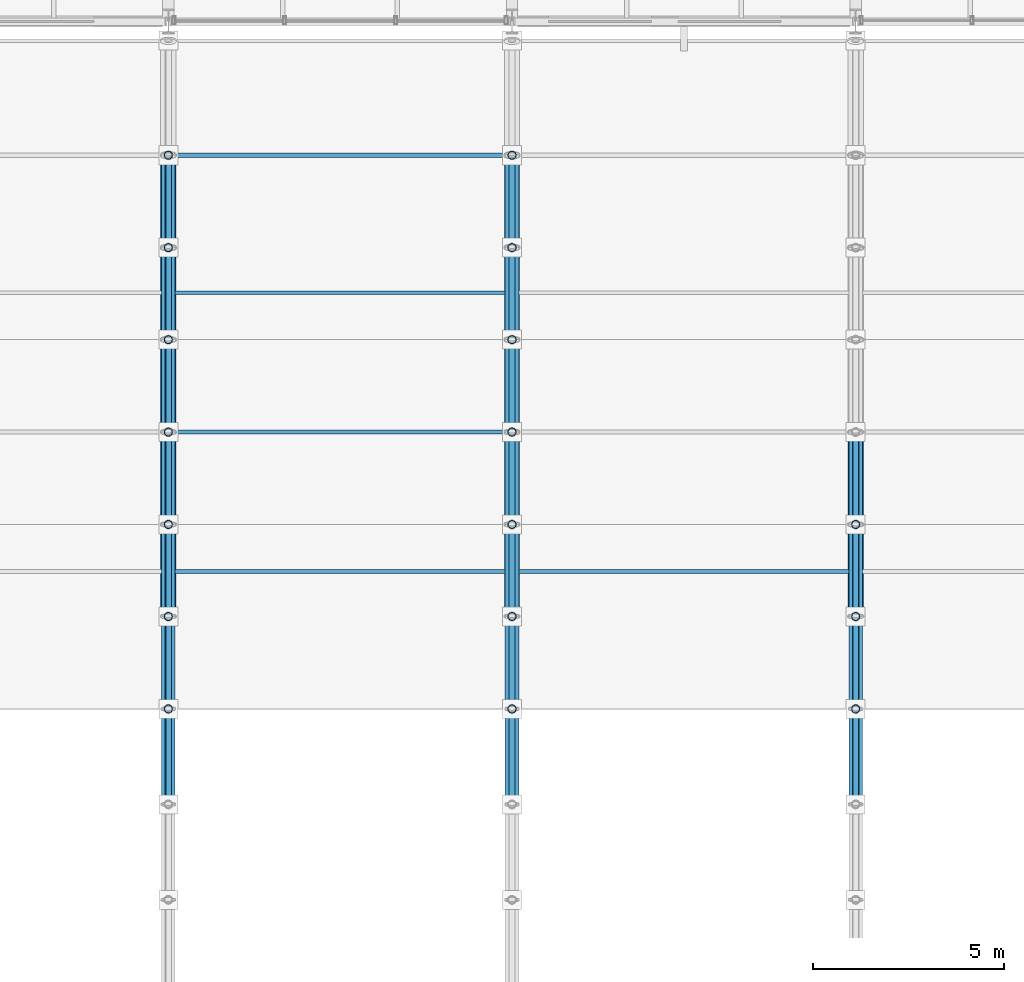
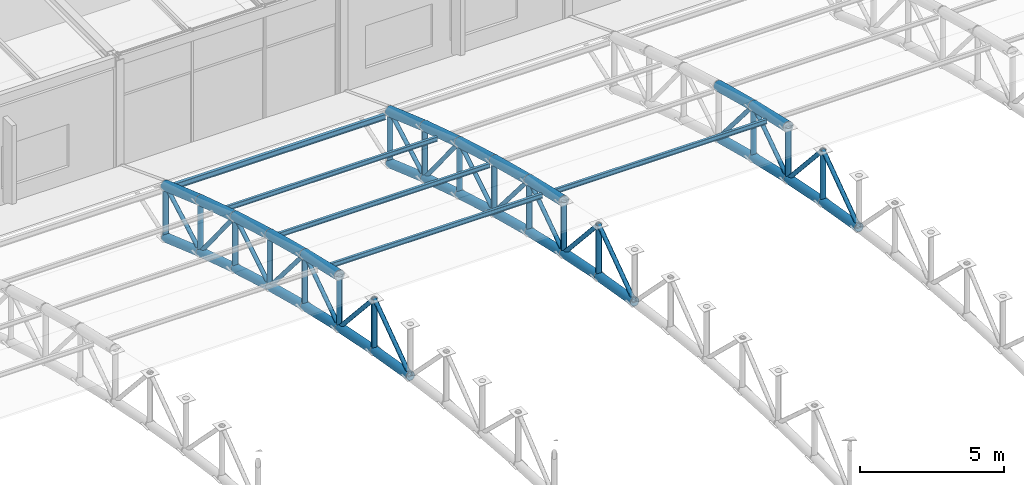
# One storey, part 37 of 195: 70 members.
"""IFC4 building model written with IfcOpenShell, lengths in metres."""

from ifc_helpers import new_model, si_unit, direction, frame, origin, origin_2d, place, context, subcontext, project, spatial, hollow_circle, i_section, extrude, material, material_profile, profile_set, type_object, element, save


model = new_model("IFC4")

# Units and contexts
model_context = context("Model", 3, precision=1e-05, world=origin(), true_north=direction((0.0, 1.0)))
body_context = subcontext(model_context, "Body", "Model", "MODEL_VIEW")
ifc_project = project(units=[si_unit("LENGTHUNIT", "METRE"), si_unit("AREAUNIT", "SQUARE_METRE"), si_unit("VOLUMEUNIT", "CUBIC_METRE"), si_unit("PLANEANGLEUNIT", "RADIAN"), si_unit("MASSUNIT", "GRAM", prefix="KILO")], contexts=[model_context])

# Site, building, storey
site_placement = place(None, origin())
site = spatial("IfcSite", under=ifc_project, at=site_placement, CompositionType="ELEMENT")
building_placement = place(site_placement, origin())
building = spatial("IfcBuilding", under=site, at=building_placement, Name="Marlcrest Central Station", CompositionType="ELEMENT")
storey_placement = place(building_placement, frame((0.0, 0.0, 9.800048828125)))
storey = spatial("IfcBuildingStorey", under=building, at=storey_placement, Name="L02", CompositionType="ELEMENT", Elevation=9.800048828125)

# Members
ifc_material = material(Name="Steel S355", Category="steel")
ifc_material_profile_1 = material_profile(ifc_material, hollow_circle(Radius=0.203125, WallThickness=0.02001953125, at=origin_2d()), Name="CHS 406.4x20")
ifc_profile_set_1 = profile_set([ifc_material_profile_1], Name="Steel S355")
member_type_1 = type_object("IfcMemberType", Name="AC-01", PredefinedType="CHORD", material=ifc_profile_set_1)
member_1_placement = place(storey_placement, frame((36.0, 83.419921875, 5.116943359375), z_axis=(0.0, 0.974329612642, -0.225126200004), x_axis=(-1.0, 0.0, 0.0)))
element("IfcMember", 1, at=member_1_placement, inside=storey, type_object=member_type_1, Name="mem-AC-01-L02-00603", PredefinedType="CHORD", context=body_context, shape_type="SweptSolid", body=[
    extrude(hollow_circle(Radius=0.203125, WallThickness=0.02001953125, at=origin_2d()), origin(), (0.0, 0.0, 1.0), 2.4736328125),
])
member_2_placement = place(storey_placement, frame((36.0, 85.830078125, 4.56005859375), z_axis=(0.0, 0.967539481681, -0.252719906989), x_axis=(-1.0, 0.0, 0.0)))
element("IfcMember", 2, at=member_2_placement, inside=storey, type_object=member_type_1, Name="mem-AC-01-L02-00607", PredefinedType="CHORD", context=body_context, shape_type="SweptSolid", body=[
    extrude(hollow_circle(Radius=0.203125, WallThickness=0.02001953125, at=origin_2d()), origin(), (0.0, 0.0, 1.0), 2.501220703125),
])
member_3_placement = place(storey_placement, frame((36.0, 88.25, 3.927978515625), z_axis=(0.0, 0.960130083362, -0.27955361386), x_axis=(-1.0, 0.0, 0.0)))
element("IfcMember", 3, at=member_3_placement, inside=storey, type_object=member_type_1, Name="mem-AC-01-L02-00611", PredefinedType="CHORD", context=body_context, shape_type="SweptSolid", body=[
    extrude(hollow_circle(Radius=0.203125, WallThickness=0.02001953125, at=origin_2d()), origin(), (0.0, 0.0, 1.0), 2.5205078125),
])
member_4_placement = place(storey_placement, frame((36.0, 90.669921875, 3.223388671875), z_axis=(0.0, 0.952116828449, -0.305734435391), x_axis=(-1.0, 0.0, 0.0)))
element("IfcMember", 4, at=member_4_placement, inside=storey, type_object=member_type_1, Name="mem-AC-01-L02-00615", PredefinedType="CHORD", context=body_context, shape_type="SweptSolid", body=[
    extrude(hollow_circle(Radius=0.203125, WallThickness=0.02001953125, at=origin_2d()), origin(), (0.0, 0.0, 1.0), 2.53125),
])
member_5_placement = place(storey_placement, frame((36.0, 93.080078125, 2.449462890625), z_axis=(0.0, 0.94353735649, -0.331266142109), x_axis=(-1.0, 0.0, 0.0)))
element("IfcMember", 5, at=member_5_placement, inside=storey, type_object=member_type_1, Name="mem-AC-01-L02-00619", PredefinedType="CHORD", context=body_context, shape_type="SweptSolid", body=[
    extrude(hollow_circle(Radius=0.203125, WallThickness=0.02001953125, at=origin_2d()), origin(), (0.0, 0.0, 1.0), 2.564697265625),
])
member_6_placement = place(storey_placement, frame((45.0, 83.419921875, 5.116943359375), z_axis=(0.0, 0.974329612642, -0.225126200004), x_axis=(-1.0, 0.0, 0.0)))
element("IfcMember", 6, at=member_6_placement, inside=storey, type_object=member_type_1, Name="mem-AC-01-L02-00719", PredefinedType="CHORD", context=body_context, shape_type="SweptSolid", body=[
    extrude(hollow_circle(Radius=0.203125, WallThickness=0.02001953125, at=origin_2d()), origin(), (0.0, 0.0, 1.0), 2.4736328125),
])
member_7_placement = place(storey_placement, frame((45.0, 85.830078125, 4.56005859375), z_axis=(0.0, 0.967539481681, -0.252719906989), x_axis=(-1.0, 0.0, 0.0)))
element("IfcMember", 7, at=member_7_placement, inside=storey, type_object=member_type_1, Name="mem-AC-01-L02-00723", PredefinedType="CHORD", context=body_context, shape_type="SweptSolid", body=[
    extrude(hollow_circle(Radius=0.203125, WallThickness=0.02001953125, at=origin_2d()), origin(), (0.0, 0.0, 1.0), 2.501220703125),
])
member_8_placement = place(storey_placement, frame((45.0, 88.25, 3.927978515625), z_axis=(0.0, 0.960130083362, -0.27955361386), x_axis=(-1.0, 0.0, 0.0)))
element("IfcMember", 8, at=member_8_placement, inside=storey, type_object=member_type_1, Name="mem-AC-01-L02-00727", PredefinedType="CHORD", context=body_context, shape_type="SweptSolid", body=[
    extrude(hollow_circle(Radius=0.203125, WallThickness=0.02001953125, at=origin_2d()), origin(), (0.0, 0.0, 1.0), 2.5205078125),
])
member_9_placement = place(storey_placement, frame((45.0, 90.669921875, 3.223388671875), z_axis=(0.0, 0.952116828449, -0.305734435391), x_axis=(-1.0, 0.0, 0.0)))
element("IfcMember", 9, at=member_9_placement, inside=storey, type_object=member_type_1, Name="mem-AC-01-L02-00731", PredefinedType="CHORD", context=body_context, shape_type="SweptSolid", body=[
    extrude(hollow_circle(Radius=0.203125, WallThickness=0.02001953125, at=origin_2d()), origin(), (0.0, 0.0, 1.0), 2.53125),
])
member_10_placement = place(storey_placement, frame((45.0, 93.080078125, 2.449462890625), z_axis=(0.0, 0.94353735649, -0.331266142109), x_axis=(-1.0, 0.0, 0.0)))
element("IfcMember", 10, at=member_10_placement, inside=storey, type_object=member_type_1, Name="mem-AC-01-L02-00735", PredefinedType="CHORD", context=body_context, shape_type="SweptSolid", body=[
    extrude(hollow_circle(Radius=0.203125, WallThickness=0.02001953125, at=origin_2d()), origin(), (0.0, 0.0, 1.0), 2.564697265625),
])
member_11_placement = place(storey_placement, frame((54.0, 83.419921875, 5.116943359375), z_axis=(0.0, 0.974329612642, -0.225126200004), x_axis=(-1.0, 0.0, 0.0)))
element("IfcMember", 11, at=member_11_placement, inside=storey, type_object=member_type_1, Name="mem-AC-01-L02-00835", PredefinedType="CHORD", context=body_context, shape_type="SweptSolid", body=[
    extrude(hollow_circle(Radius=0.203125, WallThickness=0.02001953125, at=origin_2d()), origin(), (0.0, 0.0, 1.0), 2.4736328125),
])
member_12_placement = place(storey_placement, frame((54.0, 85.830078125, 4.56005859375), z_axis=(0.0, 0.967539481681, -0.252719906989), x_axis=(-1.0, 0.0, 0.0)))
element("IfcMember", 12, at=member_12_placement, inside=storey, type_object=member_type_1, Name="mem-AC-01-L02-00839", PredefinedType="CHORD", context=body_context, shape_type="SweptSolid", body=[
    extrude(hollow_circle(Radius=0.203125, WallThickness=0.02001953125, at=origin_2d()), origin(), (0.0, 0.0, 1.0), 2.501220703125),
])
ifc_material_profile_2 = material_profile(ifc_material, hollow_circle(Radius=0.177734375, WallThickness=0.01611328125, at=origin_2d()), Name="CHS 355.6x16")
ifc_profile_set_2 = profile_set([ifc_material_profile_2], Name="Steel S355")
member_type_2 = type_object("IfcMemberType", Name="AC-02", PredefinedType="CHORD", material=ifc_profile_set_2)
member_13_placement = place(storey_placement, frame((36.0, 78.5, 3.83056640625), z_axis=(0.0, 0.98574109921, -0.168269086076), x_axis=(-1.0, 0.0, 0.0)))
element("IfcMember", 13, at=member_13_placement, inside=storey, type_object=member_type_2, Name="mem-AC-02-L02-00596", PredefinedType="CHORD", context=body_context, shape_type="SweptSolid", body=[
    extrude(hollow_circle(Radius=0.177734375, WallThickness=0.01611328125, at=origin_2d()), origin(), (0.0, 0.0, 1.0), 2.5361328125),
])
member_14_placement = place(storey_placement, frame((36.0, 81.0, 3.40380859375), z_axis=(0.0, 0.980359417961, -0.197219196874), x_axis=(-1.0, 0.0, 0.0)))
element("IfcMember", 14, at=member_14_placement, inside=storey, type_object=member_type_2, Name="mem-AC-02-L02-00600", PredefinedType="CHORD", context=body_context, shape_type="SweptSolid", body=[
    extrude(hollow_circle(Radius=0.177734375, WallThickness=0.01611328125, at=origin_2d()), origin(), (0.0, 0.0, 1.0), 2.468505859375),
])
member_15_placement = place(storey_placement, frame((36.0, 83.419921875, 2.9169921875), z_axis=(0.0, 0.974307959875, -0.225219891049), x_axis=(-1.0, 0.0, 0.0)))
element("IfcMember", 15, at=member_15_placement, inside=storey, type_object=member_type_2, Name="mem-AC-02-L02-00604", PredefinedType="CHORD", context=body_context, shape_type="SweptSolid", body=[
    extrude(hollow_circle(Radius=0.177734375, WallThickness=0.01611328125, at=origin_2d()), origin(), (0.0, 0.0, 1.0), 2.4736328125),
])
member_16_placement = place(storey_placement, frame((36.0, 85.830078125, 2.35986328125), z_axis=(0.0, 0.967563345928, -0.252628524946), x_axis=(-1.0, 0.0, 0.0)))
element("IfcMember", 16, at=member_16_placement, inside=storey, type_object=member_type_2, Name="mem-AC-02-L02-00608", PredefinedType="CHORD", context=body_context, shape_type="SweptSolid", body=[
    extrude(hollow_circle(Radius=0.177734375, WallThickness=0.01611328125, at=origin_2d()), origin(), (0.0, 0.0, 1.0), 2.5009765625),
])
member_17_placement = place(storey_placement, frame((36.0, 88.25, 1.72802734375), z_axis=(0.0, 0.960130083362, -0.27955361386), x_axis=(-1.0, 0.0, 0.0)))
element("IfcMember", 17, at=member_17_placement, inside=storey, type_object=member_type_2, Name="mem-AC-02-L02-00612", PredefinedType="CHORD", context=body_context, shape_type="SweptSolid", body=[
    extrude(hollow_circle(Radius=0.177734375, WallThickness=0.01611328125, at=origin_2d()), origin(), (0.0, 0.0, 1.0), 2.5205078125),
])
member_18_placement = place(storey_placement, frame((36.0, 90.669921875, 1.0234375), z_axis=(0.0, 0.952116828449, -0.305734435391), x_axis=(-1.0, 0.0, 0.0)))
element("IfcMember", 18, at=member_18_placement, inside=storey, type_object=member_type_2, Name="mem-AC-02-L02-00616", PredefinedType="CHORD", context=body_context, shape_type="SweptSolid", body=[
    extrude(hollow_circle(Radius=0.177734375, WallThickness=0.01611328125, at=origin_2d()), origin(), (0.0, 0.0, 1.0), 2.53125),
])
member_19_placement = place(storey_placement, frame((36.0, 93.080078125, 0.24951171875), z_axis=(0.0, 0.94353735649, -0.331266142109), x_axis=(-1.0, 0.0, 0.0)))
element("IfcMember", 19, at=member_19_placement, inside=storey, type_object=member_type_2, Name="mem-AC-02-L02-00620", PredefinedType="CHORD", context=body_context, shape_type="SweptSolid", body=[
    extrude(hollow_circle(Radius=0.177734375, WallThickness=0.01611328125, at=origin_2d()), origin(), (0.0, 0.0, 1.0), 2.564697265625),
])
member_20_placement = place(storey_placement, frame((45.0, 78.5, 3.83056640625), z_axis=(0.0, 0.98574109921, -0.168269086076), x_axis=(-1.0, 0.0, 0.0)))
element("IfcMember", 20, at=member_20_placement, inside=storey, type_object=member_type_2, Name="mem-AC-02-L02-00712", PredefinedType="CHORD", context=body_context, shape_type="SweptSolid", body=[
    extrude(hollow_circle(Radius=0.177734375, WallThickness=0.01611328125, at=origin_2d()), origin(), (0.0, 0.0, 1.0), 2.5361328125),
])
member_21_placement = place(storey_placement, frame((45.0, 81.0, 3.40380859375), z_axis=(0.0, 0.980359417961, -0.197219196874), x_axis=(-1.0, 0.0, 0.0)))
element("IfcMember", 21, at=member_21_placement, inside=storey, type_object=member_type_2, Name="mem-AC-02-L02-00716", PredefinedType="CHORD", context=body_context, shape_type="SweptSolid", body=[
    extrude(hollow_circle(Radius=0.177734375, WallThickness=0.01611328125, at=origin_2d()), origin(), (0.0, 0.0, 1.0), 2.468505859375),
])
member_22_placement = place(storey_placement, frame((45.0, 83.419921875, 2.9169921875), z_axis=(0.0, 0.974307959875, -0.225219891049), x_axis=(-1.0, 0.0, 0.0)))
element("IfcMember", 22, at=member_22_placement, inside=storey, type_object=member_type_2, Name="mem-AC-02-L02-00720", PredefinedType="CHORD", context=body_context, shape_type="SweptSolid", body=[
    extrude(hollow_circle(Radius=0.177734375, WallThickness=0.01611328125, at=origin_2d()), origin(), (0.0, 0.0, 1.0), 2.4736328125),
])
member_23_placement = place(storey_placement, frame((45.0, 85.830078125, 2.35986328125), z_axis=(0.0, 0.967563345928, -0.252628524946), x_axis=(-1.0, 0.0, 0.0)))
element("IfcMember", 23, at=member_23_placement, inside=storey, type_object=member_type_2, Name="mem-AC-02-L02-00724", PredefinedType="CHORD", context=body_context, shape_type="SweptSolid", body=[
    extrude(hollow_circle(Radius=0.177734375, WallThickness=0.01611328125, at=origin_2d()), origin(), (0.0, 0.0, 1.0), 2.5009765625),
])
member_24_placement = place(storey_placement, frame((45.0, 88.25, 1.72802734375), z_axis=(0.0, 0.960130083362, -0.27955361386), x_axis=(-1.0, 0.0, 0.0)))
element("IfcMember", 24, at=member_24_placement, inside=storey, type_object=member_type_2, Name="mem-AC-02-L02-00728", PredefinedType="CHORD", context=body_context, shape_type="SweptSolid", body=[
    extrude(hollow_circle(Radius=0.177734375, WallThickness=0.01611328125, at=origin_2d()), origin(), (0.0, 0.0, 1.0), 2.5205078125),
])
member_25_placement = place(storey_placement, frame((45.0, 90.669921875, 1.0234375), z_axis=(0.0, 0.952116828449, -0.305734435391), x_axis=(-1.0, 0.0, 0.0)))
element("IfcMember", 25, at=member_25_placement, inside=storey, type_object=member_type_2, Name="mem-AC-02-L02-00732", PredefinedType="CHORD", context=body_context, shape_type="SweptSolid", body=[
    extrude(hollow_circle(Radius=0.177734375, WallThickness=0.01611328125, at=origin_2d()), origin(), (0.0, 0.0, 1.0), 2.53125),
])
member_26_placement = place(storey_placement, frame((45.0, 93.080078125, 0.24951171875), z_axis=(0.0, 0.94353735649, -0.331266142109), x_axis=(-1.0, 0.0, 0.0)))
element("IfcMember", 26, at=member_26_placement, inside=storey, type_object=member_type_2, Name="mem-AC-02-L02-00736", PredefinedType="CHORD", context=body_context, shape_type="SweptSolid", body=[
    extrude(hollow_circle(Radius=0.177734375, WallThickness=0.01611328125, at=origin_2d()), origin(), (0.0, 0.0, 1.0), 2.564697265625),
])
member_27_placement = place(storey_placement, frame((54.0, 78.5, 3.83056640625), z_axis=(0.0, 0.98574109921, -0.168269086076), x_axis=(-1.0, 0.0, 0.0)))
element("IfcMember", 27, at=member_27_placement, inside=storey, type_object=member_type_2, Name="mem-AC-02-L02-00828", PredefinedType="CHORD", context=body_context, shape_type="SweptSolid", body=[
    extrude(hollow_circle(Radius=0.177734375, WallThickness=0.01611328125, at=origin_2d()), origin(), (0.0, 0.0, 1.0), 2.5361328125),
])
member_28_placement = place(storey_placement, frame((54.0, 81.0, 3.40380859375), z_axis=(0.0, 0.980359417961, -0.197219196874), x_axis=(-1.0, 0.0, 0.0)))
element("IfcMember", 28, at=member_28_placement, inside=storey, type_object=member_type_2, Name="mem-AC-02-L02-00832", PredefinedType="CHORD", context=body_context, shape_type="SweptSolid", body=[
    extrude(hollow_circle(Radius=0.177734375, WallThickness=0.01611328125, at=origin_2d()), origin(), (0.0, 0.0, 1.0), 2.468505859375),
])
member_29_placement = place(storey_placement, frame((54.0, 83.419921875, 2.9169921875), z_axis=(0.0, 0.974307959875, -0.225219891049), x_axis=(-1.0, 0.0, 0.0)))
element("IfcMember", 29, at=member_29_placement, inside=storey, type_object=member_type_2, Name="mem-AC-02-L02-00836", PredefinedType="CHORD", context=body_context, shape_type="SweptSolid", body=[
    extrude(hollow_circle(Radius=0.177734375, WallThickness=0.01611328125, at=origin_2d()), origin(), (0.0, 0.0, 1.0), 2.4736328125),
])
member_30_placement = place(storey_placement, frame((54.0, 85.830078125, 2.35986328125), z_axis=(0.0, 0.967563345928, -0.252628524946), x_axis=(-1.0, 0.0, 0.0)))
element("IfcMember", 30, at=member_30_placement, inside=storey, type_object=member_type_2, Name="mem-AC-02-L02-00840", PredefinedType="CHORD", context=body_context, shape_type="SweptSolid", body=[
    extrude(hollow_circle(Radius=0.177734375, WallThickness=0.01611328125, at=origin_2d()), origin(), (0.0, 0.0, 1.0), 2.5009765625),
])
ifc_material_profile_3 = material_profile(ifc_material, hollow_circle(Radius=0.084228515625, WallThickness=0.010009765625, at=origin_2d()), Name="CHS 168.3x10")
ifc_profile_set_3 = profile_set([ifc_material_profile_3], Name="Steel S355")
member_type_3 = type_object("IfcMemberType", Name="AD-01", PredefinedType="BRACE", material=ifc_profile_set_3)
member_31_placement = place(storey_placement, frame((36.0, 78.5, 3.83056640625), z_axis=(0.0, 0.815661132754, 0.57852996164), x_axis=(-1.0, 0.0, 0.0)))
element("IfcMember", 31, at=member_31_placement, inside=storey, type_object=member_type_3, Name="mem-AD-01-L02-00598", PredefinedType="BRACE", context=body_context, shape_type="SweptSolid", body=[
    extrude(hollow_circle(Radius=0.084228515625, WallThickness=0.010009765625, at=origin_2d()), origin(), (0.0, 0.0, 1.0), 3.06494140625),
])
member_32_placement = place(storey_placement, frame((36.0, 81.0, 5.603759765625), z_axis=(0.0, 0.669244457479, -0.743042297675), x_axis=(-1.0, 0.0, 0.0)))
element("IfcMember", 32, at=member_32_placement, inside=storey, type_object=member_type_3, Name="mem-AD-01-L02-00602", PredefinedType="BRACE", context=body_context, shape_type="SweptSolid", body=[
    extrude(hollow_circle(Radius=0.084228515625, WallThickness=0.010009765625, at=origin_2d()), origin(), (0.0, 0.0, 1.0), 3.615966796875),
])
member_33_placement = place(storey_placement, frame((36.0, 83.419921875, 2.9169921875), z_axis=(0.0, 0.82626275624, 0.563284881432), x_axis=(-1.0, 0.0, 0.0)))
element("IfcMember", 33, at=member_33_placement, inside=storey, type_object=member_type_3, Name="mem-AD-01-L02-00606", PredefinedType="BRACE", context=body_context, shape_type="SweptSolid", body=[
    extrude(hollow_circle(Radius=0.084228515625, WallThickness=0.010009765625, at=origin_2d()), origin(), (0.0, 0.0, 1.0), 2.9169921875),
])
member_34_placement = place(storey_placement, frame((36.0, 85.830078125, 4.56005859375), z_axis=(0.0, 0.649624779144, -0.760254987699), x_axis=(-1.0, 0.0, 0.0)))
element("IfcMember", 34, at=member_34_placement, inside=storey, type_object=member_type_3, Name="mem-AD-01-L02-00610", PredefinedType="BRACE", context=body_context, shape_type="SweptSolid", body=[
    extrude(hollow_circle(Radius=0.084228515625, WallThickness=0.010009765625, at=origin_2d()), origin(), (0.0, 0.0, 1.0), 3.72509765625),
])
member_35_placement = place(storey_placement, frame((36.0, 88.25, 1.72802734375), z_axis=(0.0, 0.850687380038, 0.525671933286), x_axis=(-1.0, 0.0, 0.0)))
element("IfcMember", 35, at=member_35_placement, inside=storey, type_object=member_type_3, Name="mem-AD-01-L02-00614", PredefinedType="BRACE", context=body_context, shape_type="SweptSolid", body=[
    extrude(hollow_circle(Radius=0.084228515625, WallThickness=0.010009765625, at=origin_2d()), origin(), (0.0, 0.0, 1.0), 2.8447265625),
])
member_36_placement = place(storey_placement, frame((36.0, 90.669921875, 3.223388671875), z_axis=(0.0, 0.62962929743, -0.776895712318), x_axis=(-1.0, 0.0, 0.0)))
element("IfcMember", 36, at=member_36_placement, inside=storey, type_object=member_type_3, Name="mem-AD-01-L02-00618", PredefinedType="BRACE", context=body_context, shape_type="SweptSolid", body=[
    extrude(hollow_circle(Radius=0.084228515625, WallThickness=0.010009765625, at=origin_2d()), origin(), (0.0, 0.0, 1.0), 3.827880859375),
])
member_37_placement = place(storey_placement, frame((36.0, 93.080078125, 0.24951171875), z_axis=(0.0, 0.873245653167, 0.487280236851), x_axis=(-1.0, 0.0, 0.0)))
element("IfcMember", 37, at=member_37_placement, inside=storey, type_object=member_type_3, Name="mem-AD-01-L02-00622", PredefinedType="BRACE", context=body_context, shape_type="SweptSolid", body=[
    extrude(hollow_circle(Radius=0.084228515625, WallThickness=0.010009765625, at=origin_2d()), origin(), (0.0, 0.0, 1.0), 2.771240234375),
])
member_38_placement = place(storey_placement, frame((45.0, 78.5, 3.83056640625), z_axis=(0.0, 0.815661132754, 0.57852996164), x_axis=(-1.0, 0.0, 0.0)))
element("IfcMember", 38, at=member_38_placement, inside=storey, type_object=member_type_3, Name="mem-AD-01-L02-00714", PredefinedType="BRACE", context=body_context, shape_type="SweptSolid", body=[
    extrude(hollow_circle(Radius=0.084228515625, WallThickness=0.010009765625, at=origin_2d()), origin(), (0.0, 0.0, 1.0), 3.06494140625),
])
member_39_placement = place(storey_placement, frame((45.0, 81.0, 5.603759765625), z_axis=(0.0, 0.669244457479, -0.743042297675), x_axis=(-1.0, 0.0, 0.0)))
element("IfcMember", 39, at=member_39_placement, inside=storey, type_object=member_type_3, Name="mem-AD-01-L02-00718", PredefinedType="BRACE", context=body_context, shape_type="SweptSolid", body=[
    extrude(hollow_circle(Radius=0.084228515625, WallThickness=0.010009765625, at=origin_2d()), origin(), (0.0, 0.0, 1.0), 3.615966796875),
])
member_40_placement = place(storey_placement, frame((45.0, 83.419921875, 2.9169921875), z_axis=(0.0, 0.82626275624, 0.563284881432), x_axis=(-1.0, 0.0, 0.0)))
element("IfcMember", 40, at=member_40_placement, inside=storey, type_object=member_type_3, Name="mem-AD-01-L02-00722", PredefinedType="BRACE", context=body_context, shape_type="SweptSolid", body=[
    extrude(hollow_circle(Radius=0.084228515625, WallThickness=0.010009765625, at=origin_2d()), origin(), (0.0, 0.0, 1.0), 2.9169921875),
])
member_41_placement = place(storey_placement, frame((45.0, 85.830078125, 4.56005859375), z_axis=(0.0, 0.649624779144, -0.760254987699), x_axis=(-1.0, 0.0, 0.0)))
element("IfcMember", 41, at=member_41_placement, inside=storey, type_object=member_type_3, Name="mem-AD-01-L02-00726", PredefinedType="BRACE", context=body_context, shape_type="SweptSolid", body=[
    extrude(hollow_circle(Radius=0.084228515625, WallThickness=0.010009765625, at=origin_2d()), origin(), (0.0, 0.0, 1.0), 3.72509765625),
])
member_42_placement = place(storey_placement, frame((45.0, 88.25, 1.72802734375), z_axis=(0.0, 0.850687380038, 0.525671933286), x_axis=(-1.0, 0.0, 0.0)))
element("IfcMember", 42, at=member_42_placement, inside=storey, type_object=member_type_3, Name="mem-AD-01-L02-00730", PredefinedType="BRACE", context=body_context, shape_type="SweptSolid", body=[
    extrude(hollow_circle(Radius=0.084228515625, WallThickness=0.010009765625, at=origin_2d()), origin(), (0.0, 0.0, 1.0), 2.8447265625),
])
member_43_placement = place(storey_placement, frame((45.0, 90.669921875, 3.223388671875), z_axis=(0.0, 0.62962929743, -0.776895712318), x_axis=(-1.0, 0.0, 0.0)))
element("IfcMember", 43, at=member_43_placement, inside=storey, type_object=member_type_3, Name="mem-AD-01-L02-00734", PredefinedType="BRACE", context=body_context, shape_type="SweptSolid", body=[
    extrude(hollow_circle(Radius=0.084228515625, WallThickness=0.010009765625, at=origin_2d()), origin(), (0.0, 0.0, 1.0), 3.827880859375),
])
member_44_placement = place(storey_placement, frame((45.0, 93.080078125, 0.24951171875), z_axis=(0.0, 0.873245653167, 0.487280236851), x_axis=(-1.0, 0.0, 0.0)))
element("IfcMember", 44, at=member_44_placement, inside=storey, type_object=member_type_3, Name="mem-AD-01-L02-00738", PredefinedType="BRACE", context=body_context, shape_type="SweptSolid", body=[
    extrude(hollow_circle(Radius=0.084228515625, WallThickness=0.010009765625, at=origin_2d()), origin(), (0.0, 0.0, 1.0), 2.771240234375),
])
member_45_placement = place(storey_placement, frame((54.0, 78.5, 3.83056640625), z_axis=(0.0, 0.815661132754, 0.57852996164), x_axis=(-1.0, 0.0, 0.0)))
element("IfcMember", 45, at=member_45_placement, inside=storey, type_object=member_type_3, Name="mem-AD-01-L02-00830", PredefinedType="BRACE", context=body_context, shape_type="SweptSolid", body=[
    extrude(hollow_circle(Radius=0.084228515625, WallThickness=0.010009765625, at=origin_2d()), origin(), (0.0, 0.0, 1.0), 3.06494140625),
])
member_46_placement = place(storey_placement, frame((54.0, 81.0, 5.603759765625), z_axis=(0.0, 0.669244457479, -0.743042297675), x_axis=(-1.0, 0.0, 0.0)))
element("IfcMember", 46, at=member_46_placement, inside=storey, type_object=member_type_3, Name="mem-AD-01-L02-00834", PredefinedType="BRACE", context=body_context, shape_type="SweptSolid", body=[
    extrude(hollow_circle(Radius=0.084228515625, WallThickness=0.010009765625, at=origin_2d()), origin(), (0.0, 0.0, 1.0), 3.615966796875),
])
member_47_placement = place(storey_placement, frame((54.0, 83.419921875, 2.9169921875), z_axis=(0.0, 0.82626275624, 0.563284881432), x_axis=(-1.0, 0.0, 0.0)))
element("IfcMember", 47, at=member_47_placement, inside=storey, type_object=member_type_3, Name="mem-AD-01-L02-00838", PredefinedType="BRACE", context=body_context, shape_type="SweptSolid", body=[
    extrude(hollow_circle(Radius=0.084228515625, WallThickness=0.010009765625, at=origin_2d()), origin(), (0.0, 0.0, 1.0), 2.9169921875),
])
member_48_placement = place(storey_placement, frame((54.0, 85.830078125, 4.56005859375), z_axis=(0.0, 0.649624779144, -0.760254987699), x_axis=(-1.0, 0.0, 0.0)))
element("IfcMember", 48, at=member_48_placement, inside=storey, type_object=member_type_3, Name="mem-AD-01-L02-00842", PredefinedType="BRACE", context=body_context, shape_type="SweptSolid", body=[
    extrude(hollow_circle(Radius=0.084228515625, WallThickness=0.010009765625, at=origin_2d()), origin(), (0.0, 0.0, 1.0), 3.72509765625),
])
ifc_material_profile_4 = material_profile(ifc_material, hollow_circle(Radius=0.109619140625, WallThickness=0.012451171875, at=origin_2d()), Name="CHS 219.1x12.5")
ifc_profile_set_4 = profile_set([ifc_material_profile_4], Name="Steel S355")
member_type_4 = type_object("IfcMemberType", Name="AP-01", PredefinedType="POST", material=ifc_profile_set_4)
for number, where, z_axis, x_axis, name in (
    (49, (36.0, 81.0, 3.40380859375), (0.0, 0.0, 1.0), (1.0, 0.0, 0.0), "mem-AP-01-L02-00601"),
    (50, (36.0, 83.419921875, 2.9169921875), (0.0, 0.0, 1.0), (1.0, 0.0, 0.0), "mem-AP-01-L02-00605"),
):
    element("IfcMember", number, at=place(storey_placement, frame(where, z_axis=z_axis, x_axis=x_axis)), inside=storey, type_object=member_type_4, Name=name, PredefinedType="POST", context=body_context, shape_type="SweptSolid", body=[
        extrude(hollow_circle(Radius=0.109619140625, WallThickness=0.012451171875, at=origin_2d()), origin(), (0.0, 0.0, 1.0), 2.199951171875),
    ])
member_49_placement = place(storey_placement, frame((36.0, 85.830078125, 2.35986328125), z_axis=(0.0, 0.0, 1.0), x_axis=(1.0, 0.0, 0.0)))
element("IfcMember", 51, at=member_49_placement, inside=storey, type_object=member_type_4, Name="mem-AP-01-L02-00609", PredefinedType="POST", context=body_context, shape_type="SweptSolid", body=[
    extrude(hollow_circle(Radius=0.109619140625, WallThickness=0.012451171875, at=origin_2d()), origin(), (0.0, 0.0, 1.0), 2.2001953125),
])
for number, where, z_axis, x_axis, name in (
    (52, (36.0, 88.25, 1.72802734375), (0.0, 0.0, 1.0), (1.0, 0.0, 0.0), "mem-AP-01-L02-00613"),
    (53, (36.0, 90.669921875, 1.0234375), (0.0, 0.0, 1.0), (1.0, 0.0, 0.0), "mem-AP-01-L02-00617"),
    (54, (36.0, 93.080078125, 0.24951171875), (0.0, 0.0, 1.0), (1.0, 0.0, 0.0), "mem-AP-01-L02-00621"),
    (55, (36.0, 95.5, -0.60009765625), (0.0, 0.0, 1.0), (1.0, 0.0, 0.0), "mem-AP-01-L02-00624"),
    (56, (45.0, 81.0, 3.40380859375), (0.0, 0.0, 1.0), (1.0, 0.0, 0.0), "mem-AP-01-L02-00717"),
    (57, (45.0, 83.419921875, 2.9169921875), (0.0, 0.0, 1.0), (1.0, 0.0, 0.0), "mem-AP-01-L02-00721"),
):
    element("IfcMember", number, at=place(storey_placement, frame(where, z_axis=z_axis, x_axis=x_axis)), inside=storey, type_object=member_type_4, Name=name, PredefinedType="POST", context=body_context, shape_type="SweptSolid", body=[
        extrude(hollow_circle(Radius=0.109619140625, WallThickness=0.012451171875, at=origin_2d()), origin(), (0.0, 0.0, 1.0), 2.199951171875),
    ])
member_50_placement = place(storey_placement, frame((45.0, 85.830078125, 2.35986328125), z_axis=(0.0, 0.0, 1.0), x_axis=(1.0, 0.0, 0.0)))
element("IfcMember", 58, at=member_50_placement, inside=storey, type_object=member_type_4, Name="mem-AP-01-L02-00725", PredefinedType="POST", context=body_context, shape_type="SweptSolid", body=[
    extrude(hollow_circle(Radius=0.109619140625, WallThickness=0.012451171875, at=origin_2d()), origin(), (0.0, 0.0, 1.0), 2.2001953125),
])
for number, where, z_axis, x_axis, name in (
    (59, (45.0, 88.25, 1.72802734375), (0.0, 0.0, 1.0), (1.0, 0.0, 0.0), "mem-AP-01-L02-00729"),
    (60, (45.0, 90.669921875, 1.0234375), (0.0, 0.0, 1.0), (1.0, 0.0, 0.0), "mem-AP-01-L02-00733"),
    (61, (45.0, 93.080078125, 0.24951171875), (0.0, 0.0, 1.0), (1.0, 0.0, 0.0), "mem-AP-01-L02-00737"),
    (62, (45.0, 95.5, -0.60009765625), (0.0, 0.0, 1.0), (1.0, 0.0, 0.0), "mem-AP-01-L02-00740"),
    (63, (54.0, 81.0, 3.40380859375), (0.0, 0.0, 1.0), (1.0, 0.0, 0.0), "mem-AP-01-L02-00833"),
    (64, (54.0, 83.419921875, 2.9169921875), (0.0, 0.0, 1.0), (1.0, 0.0, 0.0), "mem-AP-01-L02-00837"),
):
    element("IfcMember", number, at=place(storey_placement, frame(where, z_axis=z_axis, x_axis=x_axis)), inside=storey, type_object=member_type_4, Name=name, PredefinedType="POST", context=body_context, shape_type="SweptSolid", body=[
        extrude(hollow_circle(Radius=0.109619140625, WallThickness=0.012451171875, at=origin_2d()), origin(), (0.0, 0.0, 1.0), 2.199951171875),
    ])
member_51_placement = place(storey_placement, frame((54.0, 85.830078125, 2.35986328125), z_axis=(0.0, 0.0, 1.0), x_axis=(1.0, 0.0, 0.0)))
element("IfcMember", 65, at=member_51_placement, inside=storey, type_object=member_type_4, Name="mem-AP-01-L02-00841", PredefinedType="POST", context=body_context, shape_type="SweptSolid", body=[
    extrude(hollow_circle(Radius=0.109619140625, WallThickness=0.012451171875, at=origin_2d()), origin(), (0.0, 0.0, 1.0), 2.2001953125),
])
ifc_material_profile_5 = material_profile(ifc_material, i_section(OverallWidth=0.10009765625, OverallDepth=0.199951171875, WebThickness=0.005615234375, FlangeThickness=0.008544921875, FilletRadius=0.011962890625, at=origin_2d()), Name="IPE 200")
ifc_profile_set_5 = profile_set([ifc_material_profile_5], Name="Steel S355")
member_type_5 = type_object("IfcMemberType", Name="PR-01", PredefinedType="PURLIN", material=ifc_profile_set_5)
for number, where, z_axis, x_axis, name in (
    (66, (36.179931640625, 84.60009765625, 4.713134765625), (1.0, 0.0, 0.0), (0.0, 1.0, 0.0), "mem-PR-01-L02-00636"),
    (67, (36.179931640625, 88.25, 3.7880859375), (1.0, 0.0, 0.0), (0.0, 1.0, 0.0), "mem-PR-01-L02-00637"),
    (68, (36.179931640625, 91.89990234375, 2.697509765625), (1.0, 0.0, 0.0), (0.0, 1.0, 0.0), "mem-PR-01-L02-00638"),
    (69, (45.179931640625, 84.60009765625, 4.713134765625), (1.0, 0.0, 0.0), (0.0, 1.0, 0.0), "mem-PR-01-L02-00752"),
):
    element("IfcMember", number, at=place(storey_placement, frame(where, z_axis=z_axis, x_axis=x_axis)), inside=storey, type_object=member_type_5, Name=name, PredefinedType="PURLIN", context=body_context, shape_type="SweptSolid", body=[
        extrude(i_section(OverallWidth=0.10009765625, OverallDepth=0.199951171875, WebThickness=0.005615234375, FlangeThickness=0.008544921875, FilletRadius=0.011962890625, at=origin_2d()), origin(), (0.0, 0.0, 1.0), 8.64013671875),
    ])
ifc_material_profile_6 = material_profile(ifc_material, i_section(OverallWidth=0.1201171875, OverallDepth=0.239990234375, WebThickness=0.006103515625, FlangeThickness=0.009765625, FilletRadius=0.014892578125, at=origin_2d()), Name="IPE 240")
ifc_profile_set_6 = profile_set([ifc_material_profile_6], Name="Steel S355")
member_type_6 = type_object("IfcMemberType", Name="PR-02", PredefinedType="PURLIN", material=ifc_profile_set_6)
member_52_placement = place(storey_placement, frame((36.179931640625, 95.5, 1.4599609375), z_axis=(1.0, 0.0, 0.0), x_axis=(0.0, 1.0, 0.0)))
element("IfcMember", 70, at=member_52_placement, inside=storey, type_object=member_type_6, Name="mem-PR-02-L02-00639", PredefinedType="PURLIN", context=body_context, shape_type="SweptSolid", body=[
    extrude(i_section(OverallWidth=0.1201171875, OverallDepth=0.239990234375, WebThickness=0.006103515625, FlangeThickness=0.009765625, FilletRadius=0.014892578125, at=origin_2d()), origin(), (0.0, 0.0, 1.0), 8.64013671875),
])

save(model, "model.ifc")
